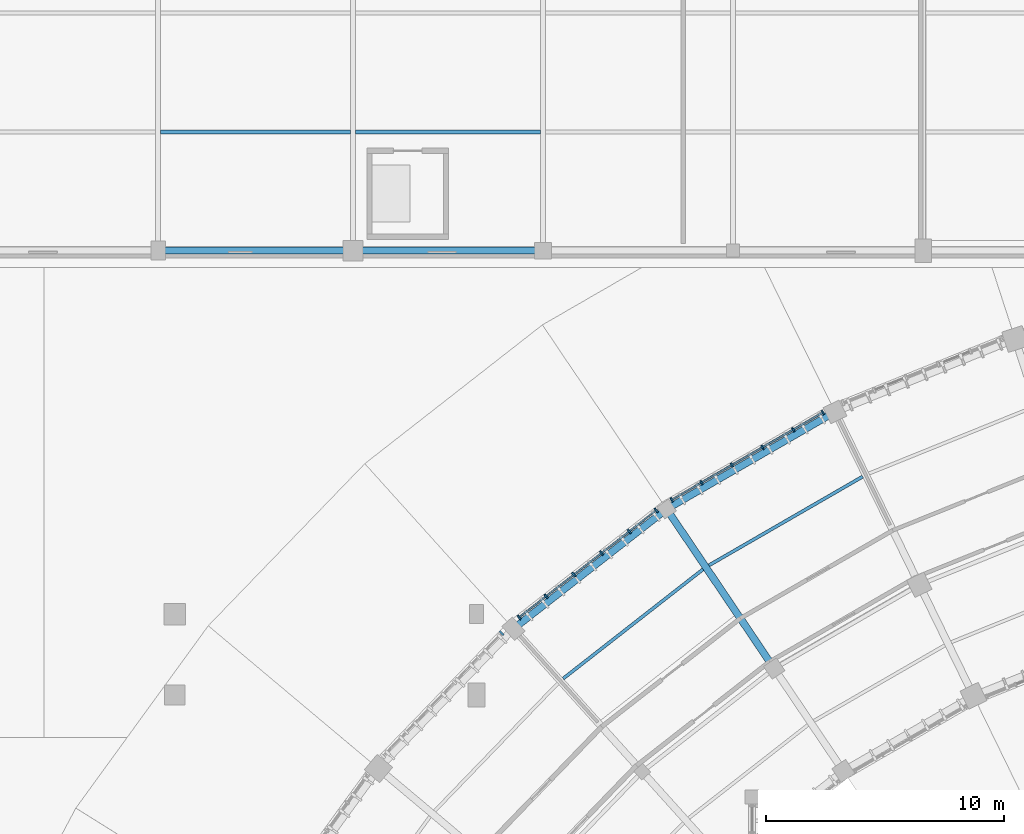
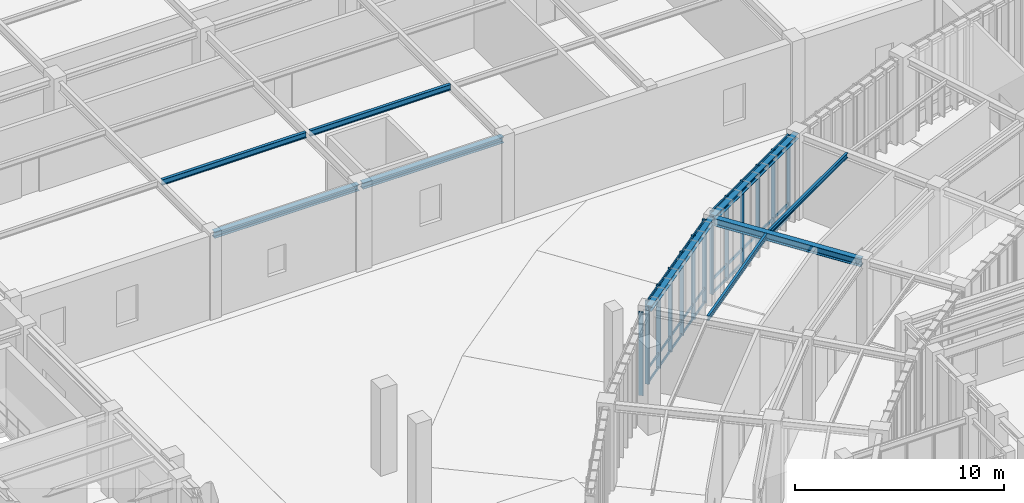
# One storey, part 15 of 68: 19 members, 9 beams, 3 elements without a shape of their own.
"""IFC4 building model written with IfcOpenShell, lengths in metres."""

from ifc_helpers import new_model, si_unit, direction, frame, origin, origin_2d, place, context, subcontext, project, spatial, rectangle, i_section, extrude, material, layer, layer_set, material_profile, profile_set, type_object, element, aggregate, save


model = new_model("IFC4")

# Units and contexts
model_context = context("Model", 3, precision=1e-05, world=origin(), true_north=direction((0.0, 1.0)))
body_context = subcontext(model_context, "Body", "Model", "MODEL_VIEW")
ifc_project = project(units=[si_unit("LENGTHUNIT", "METRE"), si_unit("AREAUNIT", "SQUARE_METRE"), si_unit("VOLUMEUNIT", "CUBIC_METRE"), si_unit("PLANEANGLEUNIT", "RADIAN"), si_unit("MASSUNIT", "GRAM", prefix="KILO"), si_unit("THERMODYNAMICTEMPERATUREUNIT", "KELVIN"), si_unit("POWERUNIT", "WATT")], contexts=[model_context])

# Site, building, storey
site_placement = place(None, origin())
site = spatial("IfcSite", under=ifc_project, at=site_placement, CompositionType="ELEMENT")
building_placement = place(site_placement, origin())
building = spatial("IfcBuilding", under=site, at=building_placement, Name="Solvatero Civic Police Headquarters", CompositionType="ELEMENT")
storey_placement = place(building_placement, origin())
storey = spatial("IfcBuildingStorey", under=building, at=storey_placement, Name="L00", CompositionType="ELEMENT", Elevation=0.0)

# Beams
ifc_material_1 = material(Name="Steel S355", Category="steel")
ifc_material_profile_1 = material_profile(ifc_material_1, i_section(OverallWidth=0.300048828125, OverallDepth=0.31005859375, WebThickness=0.009033203125, FlangeThickness=0.015380859375, FilletRadius=0.027099609375, at=origin_2d()), Name="HEA 320")
ifc_profile_set_1 = profile_set([ifc_material_profile_1], Name="Steel S355")
beam_type_1 = type_object("IfcBeamType", Name="BM-ST-HEA320", PredefinedType="SPANDREL", material=ifc_profile_set_1)
for number, where, z_axis, x_axis, name in (
    (1, (68.202880859375, 78.664306640625, 4.72509765625), (-0.866028717572, -0.499994260308, 0.0), (0.499994260308, -0.866028717572, 0.0), "Perimeter / radial spandrel beam BM-R2-L00-ARC-COUT-B05"),
    (2, (61.12451171875, 74.5615234375, 4.72509765625), (-0.788008144593, -0.615664814696, 0.0), (0.615664814696, -0.788008144593, 0.0), "Perimeter / radial spandrel beam BM-R2-L00-ARC-COUT-B06"),
):
    element("IfcBeam", number, at=place(storey_placement, frame(where, z_axis=z_axis, x_axis=x_axis)), inside=storey, type_object=beam_type_1, Name=name, PredefinedType="SPANDREL", context=body_context, shape_type="SweptSolid", body=[
        extrude(i_section(OverallWidth=0.300048828125, OverallDepth=0.31005859375, WebThickness=0.009033203125, FlangeThickness=0.015380859375, FilletRadius=0.027099609375, at=origin_2d()), origin(), (0.0, 0.0, 1.0), 7.982421875),
    ])
ifc_material_profile_2 = material_profile(ifc_material_1, i_section(OverallWidth=0.300048828125, OverallDepth=0.35009765625, WebThickness=0.010009765625, FlangeThickness=0.017578125, FilletRadius=0.027099609375, at=origin_2d()), Name="HEA 360")
ifc_profile_set_2 = profile_set([ifc_material_profile_2], Name="Steel S355")
beam_type_2 = type_object("IfcBeamType", Name="BM-ST-HEA360", PredefinedType="SPANDREL", material=ifc_profile_set_2)
beam_1_placement = place(storey_placement, frame((39.89990234375, 85.5, 4.68505859375), z_axis=(1.0, 0.0, 0.0), x_axis=(0.0, 1.0, 0.0)))
element("IfcBeam", 3, at=beam_1_placement, inside=storey, type_object=beam_type_2, Name="Perimeter / radial spandrel beam BM-R2-L00-V7-GX-2-1", PredefinedType="SPANDREL", context=body_context, shape_type="SweptSolid", body=[
    extrude(i_section(OverallWidth=0.300048828125, OverallDepth=0.35009765625, WebThickness=0.010009765625, FlangeThickness=0.017578125, FilletRadius=0.027099609375, at=origin_2d()), origin(), (0.0, 0.0, 1.0), 8.0),
])
beam_2_placement = place(storey_placement, frame((48.10009765625, 85.5, 4.68505859375), z_axis=(1.0, 0.0, 0.0), x_axis=(0.0, 1.0, 0.0)))
element("IfcBeam", 4, at=beam_2_placement, inside=storey, type_object=beam_type_2, Name="Perimeter / radial spandrel beam BM-R2-L00-V7-GX-3-1", PredefinedType="SPANDREL", context=body_context, shape_type="SweptSolid", body=[
    extrude(i_section(OverallWidth=0.300048828125, OverallDepth=0.35009765625, WebThickness=0.010009765625, FlangeThickness=0.017578125, FilletRadius=0.027099609375, at=origin_2d()), origin(), (0.0, 0.0, 1.0), 7.7998046875),
])
ifc_material_profile_3 = material_profile(ifc_material_1, i_section(OverallWidth=0.300048828125, OverallDepth=0.43994140625, WebThickness=0.011474609375, FlangeThickness=0.02099609375, FilletRadius=0.027099609375, at=origin_2d()), Name="HEA 450")
ifc_profile_set_3 = profile_set([ifc_material_profile_3], Name="Steel S355")
beam_type_3 = type_object("IfcBeamType", Name="BM-ST-HEA450", PredefinedType="BEAM", material=ifc_profile_set_3)
beam_3_placement = place(storey_placement, frame((65.677001953125, 67.99072265625, 4.659912109375), z_axis=(-0.559192054274, 0.829038145345, 0.0), x_axis=(-0.829038145345, -0.559192054274, 0.0)))
element("IfcBeam", 5, at=beam_3_placement, inside=storey, type_object=beam_type_3, Name="Primary girder BM-R2-L00-ARC-RAD2-S05", PredefinedType="BEAM", context=body_context, shape_type="SweptSolid", body=[
    extrude(i_section(OverallWidth=0.300048828125, OverallDepth=0.43994140625, WebThickness=0.011474609375, FlangeThickness=0.02099609375, FilletRadius=0.027099609375, at=origin_2d()), origin(), (0.0, 0.0, 1.0), 7.900146484375),
])
ifc_material_profile_4 = material_profile(ifc_material_1, i_section(OverallWidth=0.135009765625, OverallDepth=0.27001953125, WebThickness=0.006591796875, FlangeThickness=0.01025390625, FilletRadius=0.014892578125, at=origin_2d()), Name="IPE 270")
ifc_profile_set_4 = profile_set([ifc_material_profile_4], Name="Steel S355")
beam_type_4 = type_object("IfcBeamType", Name="BM-ST-IPE270", PredefinedType="BEAM", material=ifc_profile_set_4)
for number, where, z_axis, x_axis, name in (
    (6, (69.452880859375, 75.98779296875, 4.7451171875), (-0.866030490612, -0.499991189252, 0.0), (0.499991189252, -0.866030490612, 0.0), "Composite floor beam BM-R2-L00-ARC-CS2-B05"),
    (7, (62.73486328125, 72.085205078125, 4.7451171875), (-0.78800951062, -0.615663066272, 0.0), (0.615663066272, -0.78800951062, 0.0), "Composite floor beam BM-R2-L00-ARC-CS2-B06"),
):
    element("IfcBeam", number, at=place(storey_placement, frame(where, z_axis=z_axis, x_axis=x_axis)), inside=storey, type_object=beam_type_4, Name=name, PredefinedType="BEAM", context=body_context, shape_type="SweptSolid", body=[
        extrude(i_section(OverallWidth=0.135009765625, OverallDepth=0.27001953125, WebThickness=0.006591796875, FlangeThickness=0.01025390625, FilletRadius=0.014892578125, at=origin_2d()), origin(), (0.0, 0.0, 1.0), 7.470947265625),
    ])
ifc_material_profile_5 = material_profile(ifc_material_1, i_section(OverallWidth=0.159912109375, OverallDepth=0.330078125, WebThickness=0.007568359375, FlangeThickness=0.011474609375, FilletRadius=0.01806640625, at=origin_2d()), Name="IPE 330")
ifc_profile_set_5 = profile_set([ifc_material_profile_5], Name="Steel S355")
beam_type_5 = type_object("IfcBeamType", Name="BM-ST-IPE330", PredefinedType="BEAM", material=ifc_profile_set_5)
beam_4_placement = place(storey_placement, frame((39.905029296875, 90.5, 4.695068359375), z_axis=(1.0, 0.0, 0.0), x_axis=(0.0, 1.0, 0.0)))
element("IfcBeam", 8, at=beam_4_placement, inside=storey, type_object=beam_type_5, Name="Composite floor beam BM-R2-L00-V7-SEC-2-1-S1", PredefinedType="BEAM", context=body_context, shape_type="SweptSolid", body=[
    extrude(i_section(OverallWidth=0.159912109375, OverallDepth=0.330078125, WebThickness=0.007568359375, FlangeThickness=0.011474609375, FilletRadius=0.01806640625, at=origin_2d()), origin(), (0.0, 0.0, 1.0), 7.989990234375),
])
beam_5_placement = place(storey_placement, frame((48.10498046875, 90.5, 4.695068359375), z_axis=(1.0, 0.0, 0.0), x_axis=(0.0, 1.0, 0.0)))
element("IfcBeam", 9, at=beam_5_placement, inside=storey, type_object=beam_type_5, Name="Composite floor beam BM-R2-L00-V7-SEC-3-1-S1", PredefinedType="BEAM", context=body_context, shape_type="SweptSolid", body=[
    extrude(i_section(OverallWidth=0.159912109375, OverallDepth=0.330078125, WebThickness=0.007568359375, FlangeThickness=0.011474609375, FilletRadius=0.01806640625, at=origin_2d()), origin(), (0.0, 0.0, 1.0), 7.7900390625),
])

# Curtain wall, member
ifc_material_2 = material(Name="Anodized Bronze Aluminium", Category="aluminium")
ifc_layer = layer(ifc_material_2, 0.179931640625)
ifc_layer_set = layer_set([ifc_layer], Name="Anodized Bronze Aluminium")
curtain_wall_type = type_object("IfcCurtainWallType", Name="CW-ARC-OUT", PredefinedType="USERDEFINED", material=ifc_layer_set)
curtain_wall_1_placement = place(storey_placement, origin())
curtain_wall_1 = element("IfcCurtainWall", 10, at=curtain_wall_1_placement, inside=storey, type_object=curtain_wall_type, Name="Curtain Wall CW-R2-L00-ARC-OUT-B07", ObjectType="UNITISED", PredefinedType="USERDEFINED")
ifc_material_profile_6 = material_profile(ifc_material_2, rectangle(XDim=0.080078125, YDim=0.239990234375, at=origin_2d()), Name="ALU MULLION 80x240")
ifc_profile_set_6 = profile_set([ifc_material_profile_6], Name="Anodized Bronze Aluminium")
member_type_1 = type_object("IfcMemberType", Name="CWM-140x60", PredefinedType="MULLION", material=ifc_profile_set_6)
member_1_placement = place(storey_placement, frame((54.257080078125, 69.3994140625, 0.0), z_axis=(0.0, 0.0, 1.0), x_axis=(-0.694658370459, -0.719339800339, 0.0)))
member_1 = element("IfcMember", 11, at=member_1_placement, type_object=member_type_1, Name="CW-R2-L00-ARC-OUT-B07 Mullion 1", PredefinedType="MULLION", context=body_context, shape_type="SweptSolid", body=[
    extrude(rectangle(XDim=0.080078125, YDim=0.239990234375, at=origin_2d()), origin(), (0.0, 0.0, 1.0), 4.8798828125),
])
aggregate(curtain_wall_1, [member_1])

# Curtain wall, members
curtain_wall_2_placement = place(storey_placement, origin())
curtain_wall_2 = element("IfcCurtainWall", 12, at=curtain_wall_2_placement, inside=storey, type_object=curtain_wall_type, Name="Curtain Wall CW-R2-L00-ARC-OUT-B05", ObjectType="UNITISED", PredefinedType="USERDEFINED")
ifc_material_profile_7 = material_profile(ifc_material_2, rectangle(XDim=0.070068359375, YDim=0.199951171875, at=origin_2d()), Name="ALU MULLION 70x200")
ifc_profile_set_7 = profile_set([ifc_material_profile_7], Name="Anodized Bronze Aluminium")
member_type_2 = type_object("IfcMemberType", Name="CWM-220x80", PredefinedType="MULLION", material=ifc_profile_set_7)
member_2_placement = place(storey_placement, frame((67.78076171875, 78.685302734375, 0.0), z_axis=(0.0, 0.0, 1.0), x_axis=(-0.866034130299, -0.499984884929, 0.0)))
member_2 = element("IfcMember", 13, at=member_2_placement, type_object=member_type_2, Name="CW-R2-L00-ARC-OUT-B05 Mullion 1", PredefinedType="MULLION", context=body_context, shape_type="SweptSolid", body=[
    extrude(rectangle(XDim=0.070068359375, YDim=0.199951171875, at=origin_2d()), origin(), (0.0, 0.0, 1.0), 4.8798828125),
])
member_3_placement = place(storey_placement, frame((66.529052734375, 77.962646484375, 0.0), z_axis=(0.0, 0.0, 1.0), x_axis=(-0.866034130299, -0.499984884929, 0.0)))
member_3 = element("IfcMember", 14, at=member_3_placement, type_object=member_type_2, Name="CW-R2-L00-ARC-OUT-B05 Mullion 2", PredefinedType="MULLION", context=body_context, shape_type="SweptSolid", body=[
    extrude(rectangle(XDim=0.070068359375, YDim=0.199951171875, at=origin_2d()), origin(), (0.0, 0.0, 1.0), 4.8798828125),
])
member_4_placement = place(storey_placement, frame((65.242431640625, 77.219970703125, 0.0), z_axis=(0.0, 0.0, 1.0), x_axis=(-0.866034130299, -0.499984884929, 0.0)))
member_4 = element("IfcMember", 15, at=member_4_placement, type_object=member_type_2, Name="CW-R2-L00-ARC-OUT-B05 Mullion 3", PredefinedType="MULLION", context=body_context, shape_type="SweptSolid", body=[
    extrude(rectangle(XDim=0.070068359375, YDim=0.199951171875, at=origin_2d()), origin(), (0.0, 0.0, 1.0), 4.8798828125),
])
member_5_placement = place(storey_placement, frame((63.9560546875, 76.477294921875, 0.0), z_axis=(0.0, 0.0, 1.0), x_axis=(-0.866034130299, -0.499984884929, 0.0)))
member_5 = element("IfcMember", 16, at=member_5_placement, type_object=member_type_2, Name="CW-R2-L00-ARC-OUT-B05 Mullion 4", PredefinedType="MULLION", context=body_context, shape_type="SweptSolid", body=[
    extrude(rectangle(XDim=0.070068359375, YDim=0.199951171875, at=origin_2d()), origin(), (0.0, 0.0, 1.0), 4.8798828125),
])
member_6_placement = place(storey_placement, frame((62.669677734375, 75.734375, 0.0), z_axis=(0.0, 0.0, 1.0), x_axis=(-0.866034130299, -0.499984884929, 0.0)))
member_6 = element("IfcMember", 17, at=member_6_placement, type_object=member_type_2, Name="CW-R2-L00-ARC-OUT-B05 Mullion 5", PredefinedType="MULLION", context=body_context, shape_type="SweptSolid", body=[
    extrude(rectangle(XDim=0.070068359375, YDim=0.199951171875, at=origin_2d()), origin(), (0.0, 0.0, 1.0), 4.8798828125),
])
member_7_placement = place(storey_placement, frame((61.417724609375, 75.01171875, 0.0), z_axis=(0.0, 0.0, 1.0), x_axis=(-0.866034130299, -0.499984884929, 0.0)))
member_7 = element("IfcMember", 18, at=member_7_placement, type_object=member_type_2, Name="CW-R2-L00-ARC-OUT-B05 Mullion 6", PredefinedType="MULLION", context=body_context, shape_type="SweptSolid", body=[
    extrude(rectangle(XDim=0.070068359375, YDim=0.199951171875, at=origin_2d()), origin(), (0.0, 0.0, 1.0), 4.8798828125),
])

curtain_wall_3_placement = place(storey_placement, origin())
curtain_wall_3 = element("IfcCurtainWall", 19, at=curtain_wall_3_placement, inside=storey, type_object=curtain_wall_type, Name="Curtain Wall CW-R2-L00-ARC-OUT-B06", ObjectType="UNITISED", PredefinedType="USERDEFINED")
ifc_material_profile_8 = material_profile(ifc_material_2, rectangle(XDim=0.074951171875, YDim=0.219970703125, at=origin_2d()), Name="ALU MULLION 75x220")
ifc_profile_set_8 = profile_set([ifc_material_profile_8], Name="Anodized Bronze Aluminium")
member_type_3 = type_object("IfcMemberType", Name="CWM-250x85", PredefinedType="MULLION", material=ifc_profile_set_8)
member_8_placement = place(storey_placement, frame((60.7626953125, 74.56982421875, 0.0), z_axis=(0.0, 0.0, 1.0), x_axis=(-0.788010753607, -0.615661475326, 0.0)))
member_8 = element("IfcMember", 20, at=member_8_placement, type_object=member_type_3, Name="CW-R2-L00-ARC-OUT-B06 Mullion 1", PredefinedType="MULLION", context=body_context, shape_type="SweptSolid", body=[
    extrude(rectangle(XDim=0.074951171875, YDim=0.219970703125, at=origin_2d()), origin(), (0.0, 0.0, 1.0), 4.8798828125),
])
member_9_placement = place(storey_placement, frame((59.62744140625, 73.68310546875, 0.0), z_axis=(0.0, 0.0, 1.0), x_axis=(-0.788010753607, -0.615661475326, 0.0)))
member_9 = element("IfcMember", 21, at=member_9_placement, type_object=member_type_3, Name="CW-R2-L00-ARC-OUT-B06 Mullion 2", PredefinedType="MULLION", context=body_context, shape_type="SweptSolid", body=[
    extrude(rectangle(XDim=0.074951171875, YDim=0.219970703125, at=origin_2d()), origin(), (0.0, 0.0, 1.0), 4.8798828125),
])
member_10_placement = place(storey_placement, frame((58.4609375, 72.771484375, 0.0), z_axis=(0.0, 0.0, 1.0), x_axis=(-0.788010753607, -0.615661475326, 0.0)))
member_10 = element("IfcMember", 22, at=member_10_placement, type_object=member_type_3, Name="CW-R2-L00-ARC-OUT-B06 Mullion 3", PredefinedType="MULLION", context=body_context, shape_type="SweptSolid", body=[
    extrude(rectangle(XDim=0.074951171875, YDim=0.219970703125, at=origin_2d()), origin(), (0.0, 0.0, 1.0), 4.8798828125),
])
member_11_placement = place(storey_placement, frame((57.294189453125, 71.860107421875, 0.0), z_axis=(0.0, 0.0, 1.0), x_axis=(-0.788010753607, -0.615661475326, 0.0)))
member_11 = element("IfcMember", 23, at=member_11_placement, type_object=member_type_3, Name="CW-R2-L00-ARC-OUT-B06 Mullion 4", PredefinedType="MULLION", context=body_context, shape_type="SweptSolid", body=[
    extrude(rectangle(XDim=0.074951171875, YDim=0.219970703125, at=origin_2d()), origin(), (0.0, 0.0, 1.0), 4.8798828125),
])
member_12_placement = place(storey_placement, frame((56.127685546875, 70.948486328125, 0.0), z_axis=(0.0, 0.0, 1.0), x_axis=(-0.788010753607, -0.615661475326, 0.0)))
member_12 = element("IfcMember", 24, at=member_12_placement, type_object=member_type_3, Name="CW-R2-L00-ARC-OUT-B06 Mullion 5", PredefinedType="MULLION", context=body_context, shape_type="SweptSolid", body=[
    extrude(rectangle(XDim=0.074951171875, YDim=0.219970703125, at=origin_2d()), origin(), (0.0, 0.0, 1.0), 4.8798828125),
])
member_13_placement = place(storey_placement, frame((54.992431640625, 70.061767578125, 0.0), z_axis=(0.0, 0.0, 1.0), x_axis=(-0.788010753607, -0.615661475326, 0.0)))
member_13 = element("IfcMember", 25, at=member_13_placement, type_object=member_type_3, Name="CW-R2-L00-ARC-OUT-B06 Mullion 6", PredefinedType="MULLION", context=body_context, shape_type="SweptSolid", body=[
    extrude(rectangle(XDim=0.074951171875, YDim=0.219970703125, at=origin_2d()), origin(), (0.0, 0.0, 1.0), 4.8798828125),
])

# Member
ifc_material_profile_9 = material_profile(ifc_material_2, rectangle(XDim=0.070068359375, YDim=0.159912109375, at=origin_2d()), Name="ALU TRANSOM 70x160")
ifc_profile_set_9 = profile_set([ifc_material_profile_9], Name="Anodized Bronze Aluminium")
member_type_4 = type_object("IfcMemberType", Name="CWT-120x55", PredefinedType="USERDEFINED", material=ifc_profile_set_9)
member_14_placement = place(storey_placement, frame((67.772216796875, 78.680419921875, 0.0400390625), z_axis=(-0.866032447223, -0.499987800209, 0.0), x_axis=(0.499987800209, -0.866032447223, 0.0)))
member_14 = element("IfcMember", 26, at=member_14_placement, type_object=member_type_4, Name="CW-R2-L00-ARC-OUT-B05 Transom 1", ObjectType="TRANSOM", PredefinedType="USERDEFINED", context=body_context, shape_type="SweptSolid", body=[
    extrude(rectangle(XDim=0.070068359375, YDim=0.159912109375, at=origin_2d()), origin(), (0.0, 0.0, 1.0), 7.327392578125),
])

member_15_placement = place(storey_placement, frame((67.772216796875, 78.680419921875, 0.85009765625), z_axis=(-0.866032447223, -0.499987800209, 0.0), x_axis=(0.499987800209, -0.866032447223, 0.0)))
member_15 = element("IfcMember", 27, at=member_15_placement, type_object=member_type_4, Name="CW-R2-L00-ARC-OUT-B05 Transom 2", ObjectType="TRANSOM", PredefinedType="USERDEFINED", context=body_context, shape_type="SweptSolid", body=[
    extrude(rectangle(XDim=0.070068359375, YDim=0.159912109375, at=origin_2d()), origin(), (0.0, 0.0, 1.0), 7.327392578125),
])

member_16_placement = place(storey_placement, frame((67.772216796875, 78.680419921875, 4.840087890625), z_axis=(-0.866032447223, -0.499987800209, 0.0), x_axis=(0.499987800209, -0.866032447223, 0.0)))
member_16 = element("IfcMember", 28, at=member_16_placement, type_object=member_type_4, Name="CW-R2-L00-ARC-OUT-B05 Transom 3", ObjectType="TRANSOM", PredefinedType="USERDEFINED", context=body_context, shape_type="SweptSolid", body=[
    extrude(rectangle(XDim=0.070068359375, YDim=0.159912109375, at=origin_2d()), origin(), (0.0, 0.0, 1.0), 7.327392578125),
])

aggregate(curtain_wall_2, [member_2, member_3, member_4, member_5, member_6, member_7, member_14, member_15, member_16])

ifc_material_profile_10 = material_profile(ifc_material_2, rectangle(XDim=0.06494140625, YDim=0.139892578125, at=origin_2d()), Name="ALU TRANSOM 65x140")
ifc_profile_set_10 = profile_set([ifc_material_profile_10], Name="Anodized Bronze Aluminium")
member_type_5 = type_object("IfcMemberType", Name="CWT-180x70", PredefinedType="USERDEFINED", material=ifc_profile_set_10)
member_17_placement = place(storey_placement, frame((60.7548828125, 74.563720703125, 0.0400390625), z_axis=(-0.788021839467, -0.615647285808, 0.0), x_axis=(0.615647285808, -0.788021839467, 0.0)))
member_17 = element("IfcMember", 29, at=member_17_placement, type_object=member_type_5, Name="CW-R2-L00-ARC-OUT-B06 Transom 1", ObjectType="TRANSOM", PredefinedType="USERDEFINED", context=body_context, shape_type="SweptSolid", body=[
    extrude(rectangle(XDim=0.06494140625, YDim=0.139892578125, at=origin_2d()), origin(), (0.0, 0.0, 1.0), 7.302734375),
])

member_18_placement = place(storey_placement, frame((60.7548828125, 74.563720703125, 0.85009765625), z_axis=(-0.788021839467, -0.615647285808, 0.0), x_axis=(0.615647285808, -0.788021839467, 0.0)))
member_18 = element("IfcMember", 30, at=member_18_placement, type_object=member_type_5, Name="CW-R2-L00-ARC-OUT-B06 Transom 2", ObjectType="TRANSOM", PredefinedType="USERDEFINED", context=body_context, shape_type="SweptSolid", body=[
    extrude(rectangle(XDim=0.06494140625, YDim=0.139892578125, at=origin_2d()), origin(), (0.0, 0.0, 1.0), 7.302734375),
])

member_19_placement = place(storey_placement, frame((60.7548828125, 74.563720703125, 4.840087890625), z_axis=(-0.788021839467, -0.615647285808, 0.0), x_axis=(0.615647285808, -0.788021839467, 0.0)))
member_19 = element("IfcMember", 31, at=member_19_placement, type_object=member_type_5, Name="CW-R2-L00-ARC-OUT-B06 Transom 3", ObjectType="TRANSOM", PredefinedType="USERDEFINED", context=body_context, shape_type="SweptSolid", body=[
    extrude(rectangle(XDim=0.06494140625, YDim=0.139892578125, at=origin_2d()), origin(), (0.0, 0.0, 1.0), 7.302734375),
])

aggregate(curtain_wall_3, [member_8, member_9, member_10, member_11, member_12, member_13, member_17, member_18, member_19])

save(model, "model.ifc")
